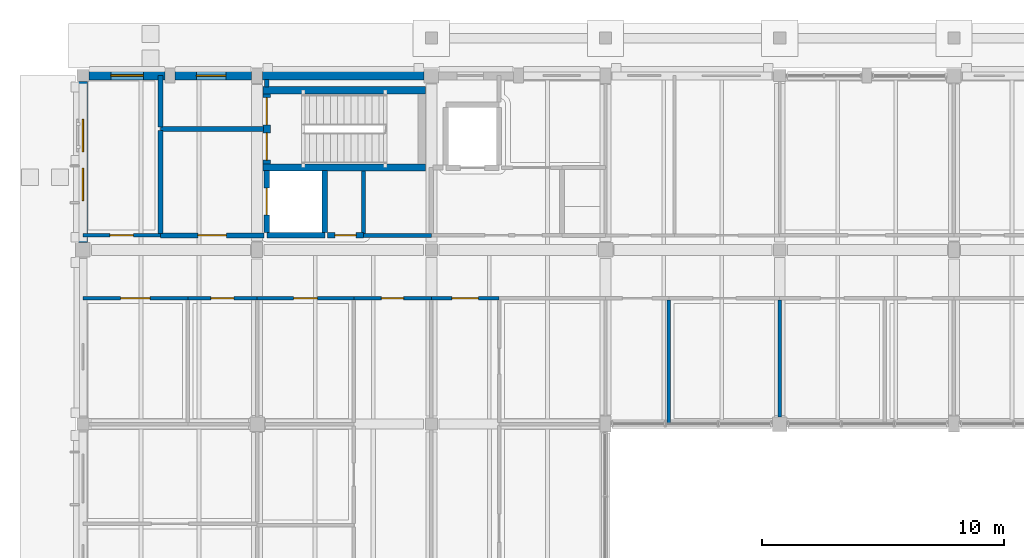
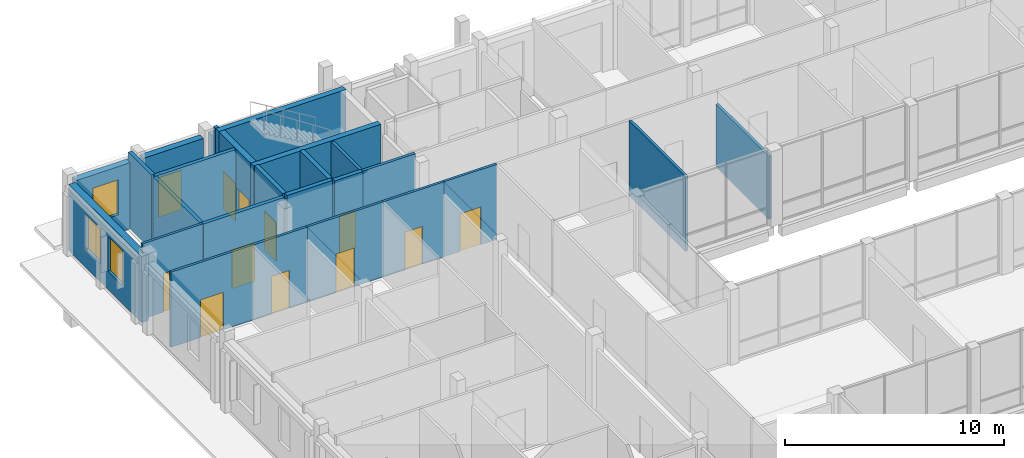
# One storey, part 74 of 104: 26 walls, 12 doors, 3 windows, 15 openings.
"""IFC4 building model written with IfcOpenShell, lengths in metres."""

from ifc_helpers import new_model, si_unit, direction, frame, frame_2d, origin, place, context, subcontext, project, spatial, rectangle, extrude, material, layer, layer_set, type_object, element, fill, save


model = new_model("IFC4")

# Units and contexts
model_context = context("Model", 3, precision=1e-05, world=origin(), true_north=direction((0.0, 1.0)))
body_context = subcontext(model_context, "Body", "Model", "MODEL_VIEW")
ifc_project = project(units=[si_unit("LENGTHUNIT", "METRE"), si_unit("AREAUNIT", "SQUARE_METRE"), si_unit("VOLUMEUNIT", "CUBIC_METRE"), si_unit("PLANEANGLEUNIT", "RADIAN"), si_unit("MASSUNIT", "GRAM", prefix="KILO")], contexts=[model_context])

# Site, building, storey
site_placement = place(None, origin())
site = spatial("IfcSite", under=ifc_project, at=site_placement, CompositionType="ELEMENT")
building_placement = place(site_placement, origin())
building = spatial("IfcBuilding", under=site, at=building_placement, Name="Hawrajan Terrace Health Centre", CompositionType="ELEMENT")
storey_placement = place(building_placement, origin())
storey = spatial("IfcBuildingStorey", under=building, at=storey_placement, Name="L00", CompositionType="ELEMENT", Elevation=0.0)

# Wall, opening, door
ifc_material_1 = material(Name="Gypsum board on acoustic stud framing")
ifc_layer_1 = layer(ifc_material_1, 0.139892578125)
ifc_layer_set_1 = layer_set([ifc_layer_1], Name="Gypsum board on acoustic stud framing")
wall_type_1 = type_object("IfcWallType", Name="ClinicalAcousticWall_140", PredefinedType="PARTITIONING", material=ifc_layer_set_1)
wall_1_placement = place(storey_placement, frame((4.60009765625, 50.60009765625, 0.0), z_axis=(0.0, 0.0, 1.0), x_axis=(1.0, 0.0, 0.0)))
wall_1 = element("IfcWall", 1, at=wall_1_placement, inside=storey, type_object=wall_type_1, Name="Interior wall IW-L00-0204", PredefinedType="PARTITIONING", context=body_context, shape_type="SweptSolid", body=[
    extrude(rectangle(XDim=4.333984375, YDim=0.139892578125, at=frame_2d((2.1669921875, 0.0))), origin(), (0.0, 0.0, 1.0), 4.179931640625),
])
opening_1_placement = place(wall_1_placement, frame((1.556884765625, 0.0, 0.0)))
opening_1 = element("IfcOpeningElement", 2, at=opening_1_placement, cuts=wall_1, Name="Opening D-L00-157", PredefinedType="OPENING", context=body_context, shape_type="SweptSolid", body=[
    extrude(rectangle(XDim=1.219970703125, YDim=2.10009765625, at=frame_2d((0.60986328125, 1.050048828125))), frame((0.0, 0.079833984375, 0.0), z_axis=(0.0, -1.0, 0.0), x_axis=(1.0, 0.0, 0.0)), (0.0, 0.0, 1.0), 0.159912109375),
])
ifc_material_2 = material(Name="Hardwood acoustic clinical door leaf and frame", Category="wood")
door_type_1 = type_object("IfcDoorType", Name="ConsultDoor_1220x2100", OperationType="NOTDEFINED", PredefinedType="DOOR", material=ifc_material_2)
door_1_placement = place(opening_1_placement, origin())
door_1 = element("IfcDoor", 3, at=door_1_placement, inside=storey, type_object=door_type_1, Name="Interior door D-L00-157", OperationType="SINGLE_SWING_LEFT", OverallHeight=2.10009765625, OverallWidth=1.219970703125, PredefinedType="DOOR", context=body_context, shape_type="SweptSolid", body=[
    extrude(rectangle(XDim=1.219970703125, YDim=2.10009765625, at=frame_2d((0.60986328125, 1.050048828125))), frame((0.0, 0.02490234375, 0.0), z_axis=(0.0, -1.0, 0.0), x_axis=(1.0, 0.0, 0.0)), (0.0, 0.0, 1.0), 0.050048828125),
])
fill(opening_1, door_1)

wall_2_placement = place(storey_placement, frame((4.60009765625, 53.199951171875, 0.0), z_axis=(0.0, 0.0, 1.0), x_axis=(1.0, 0.0, 0.0)))
wall_2 = element("IfcWall", 4, at=wall_2_placement, inside=storey, type_object=wall_type_1, Name="Interior wall IW-L00-0205", PredefinedType="PARTITIONING", context=body_context, shape_type="SweptSolid", body=[
    extrude(rectangle(XDim=3.199951171875, YDim=0.139892578125, at=frame_2d((1.60009765625, 0.0))), origin(), (0.0, 0.0, 1.0), 4.179931640625),
])
opening_2_placement = place(wall_2_placement, frame((1.110107421875, 0.0, 0.0)))
opening_2 = element("IfcOpeningElement", 5, at=opening_2_placement, cuts=wall_2, Name="Opening D-L00-159", PredefinedType="OPENING", context=body_context, shape_type="SweptSolid", body=[
    extrude(rectangle(XDim=0.97998046875, YDim=2.14990234375, at=frame_2d((0.489990234375, 1.074951171875))), frame((0.0, 0.079833984375, 0.0), z_axis=(0.0, -1.0, 0.0), x_axis=(1.0, 0.0, 0.0)), (0.0, 0.0, 1.0), 0.159912109375),
])
door_type_2 = type_object("IfcDoorType", Name="ConsultDoor_980x2150", OperationType="NOTDEFINED", PredefinedType="DOOR", material=ifc_material_2)
door_2_placement = place(opening_2_placement, origin())
door_2 = element("IfcDoor", 6, at=door_2_placement, inside=storey, type_object=door_type_2, Name="Interior door D-L00-159", OperationType="SINGLE_SWING_LEFT", OverallHeight=2.14990234375, OverallWidth=0.97998046875, PredefinedType="DOOR", context=body_context, shape_type="SweptSolid", body=[
    extrude(rectangle(XDim=0.97998046875, YDim=2.14990234375, at=frame_2d((0.489990234375, 1.074951171875))), frame((0.0, 0.02490234375, 0.0), z_axis=(0.0, -1.0, 0.0), x_axis=(1.0, 0.0, 0.0)), (0.0, 0.0, 1.0), 0.050048828125),
])
fill(opening_2, door_2)

wall_3_placement = place(storey_placement, frame((8.93408203125, 50.60009765625, 0.0), z_axis=(0.0, 0.0, 1.0), x_axis=(1.0, 0.0, 0.0)))
wall_3 = element("IfcWall", 7, at=wall_3_placement, inside=storey, type_object=wall_type_1, Name="Interior wall IW-L00-0218", PredefinedType="PARTITIONING", context=body_context, shape_type="SweptSolid", body=[
    extrude(rectangle(XDim=2.865966796875, YDim=0.139892578125, at=frame_2d((1.43310546875, 0.0))), origin(), (0.0, 0.0, 1.0), 4.179931640625),
])
opening_3_placement = place(wall_3_placement, frame((0.9580078125, 0.0, 0.0)))
opening_3 = element("IfcOpeningElement", 8, at=opening_3_placement, cuts=wall_3, Name="Opening D-L00-158", PredefinedType="OPENING", context=body_context, shape_type="SweptSolid", body=[
    extrude(rectangle(XDim=0.949951171875, YDim=2.10009765625, at=frame_2d((0.47509765625, 1.050048828125))), frame((0.0, 0.079833984375, 0.0), z_axis=(0.0, -1.0, 0.0), x_axis=(1.0, 0.0, 0.0)), (0.0, 0.0, 1.0), 0.159912109375),
])
door_type_3 = type_object("IfcDoorType", Name="AccessibleWCDoor_950x2100", OperationType="NOTDEFINED", PredefinedType="DOOR", material=ifc_material_2)
door_3_placement = place(opening_3_placement, origin())
door_3 = element("IfcDoor", 9, at=door_3_placement, inside=storey, type_object=door_type_3, Name="Interior door D-L00-158", OperationType="SINGLE_SWING_RIGHT", OverallHeight=2.10009765625, OverallWidth=0.949951171875, PredefinedType="DOOR", context=body_context, shape_type="SweptSolid", body=[
    extrude(rectangle(XDim=0.949951171875, YDim=2.10009765625, at=frame_2d((0.47509765625, 1.050048828125))), frame((0.0, 0.02490234375, 0.0), z_axis=(0.0, -1.0, 0.0), x_axis=(1.0, 0.0, 0.0)), (0.0, 0.0, 1.0), 0.050048828125),
])
fill(opening_3, door_3)

wall_4_placement = place(storey_placement, frame((11.800048828125, 50.60009765625, 0.0), z_axis=(0.0, 0.0, 1.0), x_axis=(1.0, 0.0, 0.0)))
wall_4 = element("IfcWall", 10, at=wall_4_placement, inside=storey, type_object=wall_type_1, Name="Interior wall IW-L00-0235", PredefinedType="PARTITIONING", context=body_context, shape_type="SweptSolid", body=[
    extrude(rectangle(XDim=4.0, YDim=0.139892578125, at=frame_2d((2.0, 0.0))), origin(), (0.0, 0.0, 1.0), 4.179931640625),
])
opening_4_placement = place(wall_4_placement, frame((1.510009765625, 0.0, 0.0)))
opening_4 = element("IfcOpeningElement", 11, at=opening_4_placement, cuts=wall_4, Name="Opening D-L00-164", PredefinedType="OPENING", context=body_context, shape_type="SweptSolid", body=[
    extrude(rectangle(XDim=0.97998046875, YDim=2.14990234375, at=frame_2d((0.489990234375, 1.074951171875))), frame((0.0, 0.079833984375, 0.0), z_axis=(0.0, -1.0, 0.0), x_axis=(1.0, 0.0, 0.0)), (0.0, 0.0, 1.0), 0.159912109375),
])
door_4_placement = place(opening_4_placement, origin())
door_4 = element("IfcDoor", 12, at=door_4_placement, inside=storey, type_object=door_type_2, Name="Interior door D-L00-164", OperationType="SINGLE_SWING_RIGHT", OverallHeight=2.14990234375, OverallWidth=0.97998046875, PredefinedType="DOOR", context=body_context, shape_type="SweptSolid", body=[
    extrude(rectangle(XDim=0.97998046875, YDim=2.14990234375, at=frame_2d((0.489990234375, 1.074951171875))), frame((0.0, 0.02490234375, 0.0), z_axis=(0.0, -1.0, 0.0), x_axis=(1.0, 0.0, 0.0)), (0.0, 0.0, 1.0), 0.050048828125),
])
fill(opening_4, door_4)

wall_5_placement = place(storey_placement, frame((15.800048828125, 50.60009765625, 0.0), z_axis=(0.0, 0.0, 1.0), x_axis=(1.0, 0.0, 0.0)))
wall_5 = element("IfcWall", 13, at=wall_5_placement, inside=storey, type_object=wall_type_1, Name="Interior wall IW-L00-0248", PredefinedType="PARTITIONING", context=body_context, shape_type="SweptSolid", body=[
    extrude(rectangle(XDim=3.199951171875, YDim=0.139892578125, at=frame_2d((1.60009765625, 0.0))), origin(), (0.0, 0.0, 1.0), 4.179931640625),
])
opening_5_placement = place(wall_5_placement, frame((1.139892578125, 0.0, 0.0)))
opening_5 = element("IfcOpeningElement", 14, at=opening_5_placement, cuts=wall_5, Name="Opening D-L00-109", PredefinedType="OPENING", context=body_context, shape_type="SweptSolid", body=[
    extrude(rectangle(XDim=0.919921875, YDim=2.10009765625, at=frame_2d((0.4599609375, 1.050048828125))), frame((0.0, 0.079833984375, 0.0), z_axis=(0.0, -1.0, 0.0), x_axis=(1.0, 0.0, 0.0)), (0.0, 0.0, 1.0), 0.159912109375),
])
door_type_4 = type_object("IfcDoorType", Name="StaffOfficeDoor_920x2100", OperationType="NOTDEFINED", PredefinedType="DOOR", material=ifc_material_2)
door_5_placement = place(opening_5_placement, origin())
door_5 = element("IfcDoor", 15, at=door_5_placement, inside=storey, type_object=door_type_4, Name="Interior door D-L00-109", OperationType="SINGLE_SWING_LEFT", OverallHeight=2.10009765625, OverallWidth=0.919921875, PredefinedType="DOOR", context=body_context, shape_type="SweptSolid", body=[
    extrude(rectangle(XDim=0.919921875, YDim=2.10009765625, at=frame_2d((0.4599609375, 1.050048828125))), frame((0.0, 0.02490234375, 0.0), z_axis=(0.0, -1.0, 0.0), x_axis=(1.0, 0.0, 0.0)), (0.0, 0.0, 1.0), 0.050048828125),
])
fill(opening_5, door_5)

wall_6_placement = place(storey_placement, frame((19.0, 50.60009765625, 0.0), z_axis=(0.0, 0.0, 1.0), x_axis=(1.0, 0.0, 0.0)))
wall_6 = element("IfcWall", 16, at=wall_6_placement, inside=storey, type_object=wall_type_1, Name="Interior wall IW-L00-0256", PredefinedType="PARTITIONING", context=body_context, shape_type="SweptSolid", body=[
    extrude(rectangle(XDim=2.800048828125, YDim=0.139892578125, at=frame_2d((1.39990234375, 0.0))), origin(), (0.0, 0.0, 1.0), 4.179931640625),
])
opening_6_placement = place(wall_6_placement, frame((0.85009765625, 0.0, 0.0)))
opening_6 = element("IfcOpeningElement", 17, at=opening_6_placement, cuts=wall_6, Name="Opening D-L00-110", PredefinedType="OPENING", context=body_context, shape_type="SweptSolid", body=[
    extrude(rectangle(XDim=1.10009765625, YDim=2.10009765625, at=frame_2d((0.550048828125, 1.050048828125))), frame((0.0, 0.079833984375, 0.0), z_axis=(0.0, -1.0, 0.0), x_axis=(1.0, 0.0, 0.0)), (0.0, 0.0, 1.0), 0.159912109375),
])
door_type_5 = type_object("IfcDoorType", Name="ConsultDoor_1100x2100", OperationType="NOTDEFINED", PredefinedType="DOOR", material=ifc_material_2)
door_6_placement = place(opening_6_placement, origin())
door_6 = element("IfcDoor", 18, at=door_6_placement, inside=storey, type_object=door_type_5, Name="Interior door D-L00-110", OperationType="SINGLE_SWING_RIGHT", OverallHeight=2.10009765625, OverallWidth=1.10009765625, PredefinedType="DOOR", context=body_context, shape_type="SweptSolid", body=[
    extrude(rectangle(XDim=1.10009765625, YDim=2.10009765625, at=frame_2d((0.550048828125, 1.050048828125))), frame((0.0, 0.02490234375, 0.0), z_axis=(0.0, -1.0, 0.0), x_axis=(1.0, 0.0, 0.0)), (0.0, 0.0, 1.0), 0.050048828125),
])
fill(opening_6, door_6)

# Walls
wall_7_placement = place(storey_placement, frame((28.821044921875, 45.39990234375, 0.0), z_axis=(0.0, 0.0, 1.0), x_axis=(0.0, 1.0, 0.0)))
element("IfcWall", 19, at=wall_7_placement, inside=storey, type_object=wall_type_1, Name="Interior wall IW-L00-0278", PredefinedType="PARTITIONING", context=body_context, shape_type="SweptSolid", body=[
    extrude(rectangle(XDim=5.130126953125, YDim=0.139892578125, at=frame_2d((2.56494140625, 0.0))), origin(), (0.0, 0.0, 1.0), 4.179931640625),
])
wall_8_placement = place(storey_placement, frame((33.39990234375, 45.699951171875, 0.0), z_axis=(0.0, 0.0, 1.0), x_axis=(0.0, 1.0, 0.0)))
element("IfcWall", 20, at=wall_8_placement, inside=storey, type_object=wall_type_1, Name="Interior wall IW-L00-0289", PredefinedType="PARTITIONING", context=body_context, shape_type="SweptSolid", body=[
    extrude(rectangle(XDim=4.830078125, YDim=0.139892578125, at=frame_2d((2.4150390625, 0.0))), origin(), (0.0, 0.0, 1.0), 3.5),
])

# Wall, opening, window
ifc_material_3 = material(Name="Precast concrete C40/50", Category="concrete")
ifc_layer_2 = layer(ifc_material_3, 0.340087890625)
ifc_layer_set_2 = layer_set([ifc_layer_2], Name="Precast concrete C40/50")
wall_type_2 = type_object("IfcWallType", Name="CoralAshlarWall_340", PredefinedType="SOLIDWALL", material=ifc_layer_set_2)
wall_9_placement = place(storey_placement, frame((4.85009765625, 59.800048828125, 0.0), z_axis=(0.0, 0.0, 1.0), x_axis=(1.0, 0.0, 0.0)))
wall_9 = element("IfcWall", 21, at=wall_9_placement, inside=storey, type_object=wall_type_2, Name="Exterior wall EW-L00-H00-07-1", PredefinedType="SOLIDWALL", context=body_context, shape_type="SweptSolid", body=[
    extrude(rectangle(XDim=3.14990234375, YDim=0.340087890625, at=frame_2d((1.574951171875, 0.0))), origin(), (0.0, 0.0, 1.0), 3.679931640625),
])
opening_7_placement = place(wall_9_placement, frame((0.905029296875, 0.0, 1.0)))
opening_7 = element("IfcOpeningElement", 22, at=opening_7_placement, cuts=wall_9, Name="Opening W-L00-010", PredefinedType="OPENING", context=body_context, shape_type="SweptSolid", body=[
    extrude(rectangle(XDim=1.340087890625, YDim=1.949951171875, at=frame_2d((0.669921875, 0.97509765625))), frame((0.0, 0.179931640625, 0.0), z_axis=(0.0, -1.0, 0.0), x_axis=(1.0, 0.0, 0.0)), (0.0, 0.0, 1.0), 0.360107421875),
])
ifc_material_4 = material(Name="Anodized bronze frame with double low-E glazing", Category="glass")
window_type = type_object("IfcWindowType", Name="FacadeWindow_1340x1950", PartitioningType="SINGLE_PANEL", PredefinedType="WINDOW", material=ifc_material_4)
window_1_placement = place(opening_7_placement, origin())
window_1 = element("IfcWindow", 23, at=window_1_placement, inside=storey, type_object=window_type, Name="Window W-L00-010", OverallHeight=1.949951171875, OverallWidth=1.340087890625, PartitioningType="SINGLE_PANEL", PredefinedType="WINDOW", context=body_context, shape_type="SweptSolid", body=[
    extrude(rectangle(XDim=1.340087890625, YDim=1.949951171875, at=frame_2d((0.669921875, 0.97509765625))), frame((0.0, 0.030029296875, 0.0), z_axis=(0.0, -1.0, 0.0), x_axis=(1.0, 0.0, 0.0)), (0.0, 0.0, 1.0), 0.06005859375),
])
fill(opening_7, window_1)

# Wall, opening, door
wall_10_placement = place(storey_placement, frame((8.39990234375, 59.800048828125, 0.0), z_axis=(0.0, 0.0, 1.0), x_axis=(1.0, 0.0, 0.0)))
wall_10 = element("IfcWall", 24, at=wall_10_placement, inside=storey, type_object=wall_type_2, Name="Exterior wall EW-L00-H00-07-2", PredefinedType="SOLIDWALL", context=body_context, shape_type="SweptSolid", body=[
    extrude(rectangle(XDim=3.175048828125, YDim=0.340087890625, at=frame_2d((1.58740234375, 0.0))), origin(), (0.0, 0.0, 1.0), 3.679931640625),
])
opening_8_placement = place(wall_10_placement, frame((0.889892578125, 0.0, 0.0)))
opening_8 = element("IfcOpeningElement", 25, at=opening_8_placement, cuts=wall_10, Name="Opening D-L00-E002", PredefinedType="OPENING", context=body_context, shape_type="SweptSolid", body=[
    extrude(rectangle(XDim=1.219970703125, YDim=2.199951171875, at=frame_2d((0.60986328125, 1.10009765625))), frame((0.0, 0.179931640625, 0.0), z_axis=(0.0, -1.0, 0.0), x_axis=(1.0, 0.0, 0.0)), (0.0, 0.0, 1.0), 0.360107421875),
])
ifc_material_5 = material(Name="Anodized bronze thermally broken fire-rated glazed door")
door_type_6 = type_object("IfcDoorType", Name="StairDischargeDoor_1220x2200", OperationType="NOTDEFINED", PredefinedType="DOOR", material=ifc_material_5)
door_7_placement = place(opening_8_placement, origin())
door_7 = element("IfcDoor", 26, at=door_7_placement, inside=storey, type_object=door_type_6, Name="Exit Passage C1 Final Exit Door D-L00-E002", OperationType="SINGLE_SWING_RIGHT", OverallHeight=2.199951171875, OverallWidth=1.219970703125, PredefinedType="DOOR", context=body_context, shape_type="SweptSolid", body=[
    extrude(rectangle(XDim=1.219970703125, YDim=2.199951171875, at=frame_2d((0.60986328125, 1.10009765625))), frame((0.0, 0.02490234375, 0.0), z_axis=(0.0, -1.0, 0.0), x_axis=(1.0, 0.0, 0.0)), (0.0, 0.0, 1.0), 0.050048828125),
])
fill(opening_8, door_7)

# Wall, openings, windows
ifc_layer_3 = layer(ifc_material_3, 0.360107421875)
ifc_layer_set_3 = layer_set([ifc_layer_3], Name="Precast concrete C40/50")
wall_type_3 = type_object("IfcWallType", Name="CoralPodiumWall_360", PredefinedType="SOLIDWALL", material=ifc_layer_set_3)
wall_11_placement = place(storey_placement, frame((4.60009765625, 52.89990234375, 0.0), z_axis=(0.0, 0.0, 1.0), x_axis=(0.0, 1.0, 0.0)))
wall_11 = element("IfcWall", 27, at=wall_11_placement, inside=storey, type_object=wall_type_3, Name="Exterior wall EW-L00-V00-06-1", PredefinedType="SOLIDWALL", context=body_context, shape_type="SweptSolid", body=[
    extrude(rectangle(XDim=6.650146484375, YDim=0.360107421875, at=frame_2d((3.3251953125, 0.0))), origin(), (0.0, 0.0, 1.0), 3.679931640625),
])
opening_9_placement = place(wall_11_placement, frame((1.735107421875, 0.0, 1.0)))
opening_9 = element("IfcOpeningElement", 28, at=opening_9_placement, cuts=wall_11, Name="Opening W-L00-011", PredefinedType="OPENING", context=body_context, shape_type="SweptSolid", body=[
    extrude(rectangle(XDim=1.340087890625, YDim=1.949951171875, at=frame_2d((0.669921875, 0.97509765625))), frame((0.0, 0.18994140625, 0.0), z_axis=(0.0, -1.0, 0.0), x_axis=(1.0, 0.0, 0.0)), (0.0, 0.0, 1.0), 0.380126953125),
])
opening_10_placement = place(wall_11_placement, frame((3.7548828125, 0.0, 1.0)))
opening_10 = element("IfcOpeningElement", 29, at=opening_10_placement, cuts=wall_11, Name="Opening W-L00-012", PredefinedType="OPENING", context=body_context, shape_type="SweptSolid", body=[
    extrude(rectangle(XDim=1.340087890625, YDim=1.949951171875, at=frame_2d((0.669921875, 0.97509765625))), frame((0.0, 0.18994140625, 0.0), z_axis=(0.0, -1.0, 0.0), x_axis=(1.0, 0.0, 0.0)), (0.0, 0.0, 1.0), 0.380126953125),
])
window_2_placement = place(opening_9_placement, origin())
window_2 = element("IfcWindow", 30, at=window_2_placement, inside=storey, type_object=window_type, Name="Window W-L00-011", OverallHeight=1.949951171875, OverallWidth=1.340087890625, PartitioningType="SINGLE_PANEL", PredefinedType="WINDOW", context=body_context, shape_type="SweptSolid", body=[
    extrude(rectangle(XDim=1.340087890625, YDim=1.949951171875, at=frame_2d((0.669921875, 0.97509765625))), frame((0.0, 0.030029296875, 0.0), z_axis=(0.0, -1.0, 0.0), x_axis=(1.0, 0.0, 0.0)), (0.0, 0.0, 1.0), 0.06005859375),
])
fill(opening_9, window_2)
window_3_placement = place(opening_10_placement, origin())
window_3 = element("IfcWindow", 31, at=window_3_placement, inside=storey, type_object=window_type, Name="Window W-L00-012", OverallHeight=1.949951171875, OverallWidth=1.340087890625, PartitioningType="SINGLE_PANEL", PredefinedType="WINDOW", context=body_context, shape_type="SweptSolid", body=[
    extrude(rectangle(XDim=1.340087890625, YDim=1.949951171875, at=frame_2d((0.669921875, 0.97509765625))), frame((0.0, 0.030029296875, 0.0), z_axis=(0.0, -1.0, 0.0), x_axis=(1.0, 0.0, 0.0)), (0.0, 0.0, 1.0), 0.06005859375),
])
fill(opening_10, window_3)

# Walls
wall_12_placement = place(storey_placement, frame((12.02490234375, 59.800048828125, 0.0), z_axis=(0.0, 0.0, 1.0), x_axis=(1.0, 0.0, 0.0)))
element("IfcWall", 32, at=wall_12_placement, inside=storey, type_object=wall_type_3, Name="Exterior wall EW-L00-H01-07-1", PredefinedType="SOLIDWALL", context=body_context, shape_type="SweptSolid", body=[
    extrude(rectangle(XDim=6.675048828125, YDim=0.360107421875, at=frame_2d((3.33740234375, 0.0))), origin(), (0.0, 0.0, 1.0), 3.679931640625),
])
ifc_material_6 = material(Name="Concrete C40/50", Category="concrete")
ifc_layer_4 = layer(ifc_material_6, 0.300048828125)
ifc_layer_set_4 = layer_set([ifc_layer_4], Name="Concrete C40/50")
wall_type_4 = type_object("IfcWallType", Name="CoreShearWall_RC300", PredefinedType="SHEAR", material=ifc_layer_set_4)
for number, where, z_axis, x_axis, name in (
    (33, (12.050048828125, 56.0, 0.0), (0.0, 0.0, 1.0), (1.0, 0.0, 0.0), "Core shear wall SW-C1-L00-S"),
    (34, (12.050048828125, 59.199951171875, 0.0), (0.0, 0.0, 1.0), (1.0, 0.0, 0.0), "Core shear wall SW-C1-L00-N"),
):
    element("IfcWall", number, at=place(storey_placement, frame(where, z_axis=z_axis, x_axis=x_axis)), inside=storey, type_object=wall_type_4, Name=name, PredefinedType="SHEAR", context=body_context, shape_type="SweptSolid", body=[
        extrude(rectangle(XDim=6.699951171875, YDim=0.300048828125, at=frame_2d((3.35009765625, 0.0))), origin(), (0.0, 0.0, 1.0), 4.25),
    ])

# Wall, openings, doors
wall_13_placement = place(storey_placement, frame((12.199951171875, 56.14990234375, 0.0), z_axis=(0.0, 0.0, 1.0), x_axis=(0.0, 1.0, 0.0)))
wall_13 = element("IfcWall", 35, at=wall_13_placement, inside=storey, type_object=wall_type_4, Name="Core shear wall SW-C1-L00-W", PredefinedType="SHEAR", context=body_context, shape_type="SweptSolid", body=[
    extrude(rectangle(XDim=2.900146484375, YDim=0.300048828125, at=frame_2d((1.4501953125, 0.0))), origin(), (0.0, 0.0, 1.0), 4.25),
])
opening_11_placement = place(wall_13_placement, frame((1.6201171875, 0.0, 0.0)))
opening_11 = element("IfcOpeningElement", 36, at=opening_11_placement, cuts=wall_13, Name="Opening D-L00-091", PredefinedType="OPENING", context=body_context, shape_type="SweptSolid", body=[
    extrude(rectangle(XDim=1.1201171875, YDim=2.10009765625, at=frame_2d((0.56005859375, 1.050048828125))), frame((0.0, 0.159912109375, 0.0), z_axis=(0.0, -1.0, 0.0), x_axis=(1.0, 0.0, 0.0)), (0.0, 0.0, 1.0), 0.320068359375),
])
opening_12_placement = place(wall_13_placement, frame((0.159912109375, 0.0, 0.0)))
opening_12 = element("IfcOpeningElement", 37, at=opening_12_placement, cuts=wall_13, Name="Opening D-L00-092", PredefinedType="OPENING", context=body_context, shape_type="SweptSolid", body=[
    extrude(rectangle(XDim=1.1201171875, YDim=2.10009765625, at=frame_2d((0.56005859375, 1.050048828125))), frame((0.0, 0.159912109375, 0.0), z_axis=(0.0, -1.0, 0.0), x_axis=(1.0, 0.0, 0.0)), (0.0, 0.0, 1.0), 0.320068359375),
])
ifc_material_7 = material(Name="Timber-veneered acoustic fire-resisting door assembly", Category="wood")
door_type_7 = type_object("IfcDoorType", Name="CoreStairDoor_1120x2100", OperationType="NOTDEFINED", PredefinedType="DOOR", material=ifc_material_7)
door_8_placement = place(opening_11_placement, origin())
door_8 = element("IfcDoor", 38, at=door_8_placement, inside=storey, type_object=door_type_7, Name="Interior door D-L00-091", OperationType="SINGLE_SWING_LEFT", OverallHeight=2.10009765625, OverallWidth=1.1201171875, PredefinedType="DOOR", context=body_context, shape_type="SweptSolid", body=[
    extrude(rectangle(XDim=1.1201171875, YDim=2.10009765625, at=frame_2d((0.56005859375, 1.050048828125))), frame((0.0, 0.02490234375, 0.0), z_axis=(0.0, -1.0, 0.0), x_axis=(1.0, 0.0, 0.0)), (0.0, 0.0, 1.0), 0.050048828125),
])
fill(opening_11, door_8)
door_9_placement = place(opening_12_placement, origin())
door_9 = element("IfcDoor", 39, at=door_9_placement, inside=storey, type_object=door_type_7, Name="Interior door D-L00-092", OperationType="SINGLE_SWING_RIGHT", OverallHeight=2.10009765625, OverallWidth=1.1201171875, PredefinedType="DOOR", context=body_context, shape_type="SweptSolid", body=[
    extrude(rectangle(XDim=1.1201171875, YDim=2.10009765625, at=frame_2d((0.56005859375, 1.050048828125))), frame((0.0, 0.02490234375, 0.0), z_axis=(0.0, -1.0, 0.0), x_axis=(1.0, 0.0, 0.0)), (0.0, 0.0, 1.0), 0.050048828125),
])
fill(opening_12, door_9)

# Walls
ifc_layer_5 = layer(ifc_material_1, 0.159912109375)
ifc_layer_set_5 = layer_set([ifc_layer_5], Name="Gypsum board on acoustic stud framing")
wall_type_5 = type_object("IfcWallType", Name="CorridorFireWall_160", PredefinedType="PARTITIONING", material=ifc_layer_set_5)
wall_14_placement = place(storey_placement, frame((16.199951171875, 53.27001953125, 0.0), z_axis=(0.0, 0.0, 1.0), x_axis=(0.0, 1.0, 0.0)))
element("IfcWall", 40, at=wall_14_placement, inside=storey, type_object=wall_type_5, Name="Interior wall IW-L00-0466", PredefinedType="PARTITIONING", context=body_context, shape_type="SweptSolid", body=[
    extrude(rectangle(XDim=2.590087890625, YDim=0.159912109375, at=frame_2d((1.294921875, 0.0))), origin(), (0.0, 0.0, 1.0), 4.179931640625),
])
wall_15_placement = place(storey_placement, frame((19.0, 53.199951171875, 0.0), z_axis=(0.0, 0.0, 1.0), x_axis=(-1.0, 0.0, 0.0)))
element("IfcWall", 41, at=wall_15_placement, inside=storey, type_object=wall_type_5, Name="Interior wall IW-L00-0481", PredefinedType="PARTITIONING", context=body_context, shape_type="SweptSolid", body=[
    extrude(rectangle(XDim=2.800048828125, YDim=0.159912109375, at=frame_2d((1.39990234375, 0.0))), origin(), (0.0, 0.0, 1.0), 4.179931640625),
])
ifc_material_8 = material(Name="Cross-laminated timber CLT C24", Category="wood")
ifc_layer_6 = layer(ifc_material_8, 0.199951171875)
ifc_layer_set_6 = layer_set([ifc_layer_6], Name="Cross-laminated timber CLT C24")
wall_type_6 = type_object("IfcWallType", Name="FireCompartmentWall_200", PredefinedType="PARTITIONING", material=ifc_layer_set_6)
wall_16_placement = place(storey_placement, frame((7.800048828125, 53.27001953125, 0.0), z_axis=(0.0, 0.0, 1.0), x_axis=(0.0, 1.0, 0.0)))
element("IfcWall", 42, at=wall_16_placement, inside=storey, type_object=wall_type_6, Name="Interior wall IW-L00-0210", PredefinedType="PARTITIONING", context=body_context, shape_type="SweptSolid", body=[
    extrude(rectangle(XDim=4.260009765625, YDim=0.199951171875, at=frame_2d((2.1298828125, 0.0))), origin(), (0.0, 0.0, 1.0), 4.179931640625),
])

# Wall, opening, door
wall_17_placement = place(storey_placement, frame((7.800048828125, 53.199951171875, 0.0), z_axis=(0.0, 0.0, 1.0), x_axis=(1.0, 0.0, 0.0)))
wall_17 = element("IfcWall", 43, at=wall_17_placement, inside=storey, type_object=wall_type_6, Name="Interior wall IW-L00-0211", PredefinedType="PARTITIONING", context=body_context, shape_type="SweptSolid", body=[
    extrude(rectangle(XDim=4.2900390625, YDim=0.199951171875, at=frame_2d((2.14501953125, 0.0))), origin(), (0.0, 0.0, 1.0), 4.179931640625),
])
opening_13_placement = place(wall_17_placement, frame((1.554931640625, 0.0, 0.0)))
opening_13 = element("IfcOpeningElement", 44, at=opening_13_placement, cuts=wall_17, Name="Opening D-L00-103", PredefinedType="OPENING", context=body_context, shape_type="SweptSolid", body=[
    extrude(rectangle(XDim=1.179931640625, YDim=2.14990234375, at=frame_2d((0.58984375, 1.074951171875))), frame((0.0, 0.10986328125, 0.0), z_axis=(0.0, -1.0, 0.0), x_axis=(1.0, 0.0, 0.0)), (0.0, 0.0, 1.0), 0.219970703125),
])
door_type_8 = type_object("IfcDoorType", Name="CoreStairDoor_1180x2150", OperationType="NOTDEFINED", PredefinedType="DOOR", material=ifc_material_7)
door_10_placement = place(opening_13_placement, origin())
door_10 = element("IfcDoor", 45, at=door_10_placement, inside=storey, type_object=door_type_8, Name="Interior door D-L00-103", OperationType="SINGLE_SWING_LEFT", OverallHeight=2.14990234375, OverallWidth=1.179931640625, PredefinedType="DOOR", context=body_context, shape_type="SweptSolid", body=[
    extrude(rectangle(XDim=1.179931640625, YDim=2.14990234375, at=frame_2d((0.58984375, 1.074951171875))), frame((0.0, 0.02490234375, 0.0), z_axis=(0.0, -1.0, 0.0), x_axis=(1.0, 0.0, 0.0)), (0.0, 0.0, 1.0), 0.050048828125),
])
fill(opening_13, door_10)

# Walls
wall_18_placement = place(storey_placement, frame((7.800048828125, 57.669921875, 0.0), z_axis=(0.0, 0.0, 1.0), x_axis=(0.0, 1.0, 0.0)))
element("IfcWall", 46, at=wall_18_placement, inside=storey, type_object=wall_type_6, Name="Interior wall IW-L00-0212", PredefinedType="PARTITIONING", context=body_context, shape_type="SweptSolid", body=[
    extrude(rectangle(XDim=2.130126953125, YDim=0.199951171875, at=frame_2d((1.06494140625, 0.0))), origin(), (0.0, 0.0, 1.0), 4.179931640625),
])
wall_19_placement = place(storey_placement, frame((7.800048828125, 57.60009765625, 0.0), z_axis=(0.0, 0.0, 1.0), x_axis=(1.0, 0.0, 0.0)))
element("IfcWall", 47, at=wall_19_placement, inside=storey, type_object=wall_type_6, Name="Interior wall IW-L00-0213", PredefinedType="PARTITIONING", context=body_context, shape_type="SweptSolid", body=[
    extrude(rectangle(XDim=4.260009765625, YDim=0.199951171875, at=frame_2d((2.1298828125, 0.0))), origin(), (0.0, 0.0, 1.0), 4.179931640625),
])
wall_20_placement = place(storey_placement, frame((12.199951171875, 59.340087890625, 0.0), z_axis=(0.0, 0.0, 1.0), x_axis=(0.0, 1.0, 0.0)))
element("IfcWall", 48, at=wall_20_placement, inside=storey, type_object=wall_type_6, Name="Interior wall IW-L00-0470", PredefinedType="PARTITIONING", context=body_context, shape_type="SweptSolid", body=[
    extrude(rectangle(XDim=0.2998046875, YDim=0.199951171875, at=frame_2d((0.14990234375, 0.0))), origin(), (0.0, 0.0, 1.0), 4.179931640625),
])
ifc_layer_7 = layer(ifc_material_6, 0.219970703125)
ifc_layer_set_7 = layer_set([ifc_layer_7], Name="Concrete C40/50")
wall_type_7 = type_object("IfcWallType", Name="ShaftWall_RC220", PredefinedType="SOLIDWALL", material=ifc_layer_set_7)
wall_21_placement = place(storey_placement, frame((12.199951171875, 53.199951171875, 0.0), z_axis=(0.0, 0.0, 1.0), x_axis=(1.0, 0.0, 0.0)))
element("IfcWall", 49, at=wall_21_placement, inside=storey, type_object=wall_type_7, Name="Lift shaft wall LW-LC-01-L00-S", PredefinedType="SOLIDWALL", context=body_context, shape_type="SweptSolid", body=[
    extrude(rectangle(XDim=2.400146484375, YDim=0.219970703125, at=frame_2d((1.2001953125, 0.0))), origin(), (0.0, 0.0, 1.0), 4.25),
])

# Wall, opening, door
wall_22_placement = place(storey_placement, frame((12.199951171875, 53.31005859375, 0.0), z_axis=(0.0, 0.0, 1.0), x_axis=(0.0, 1.0, 0.0)))
wall_22 = element("IfcWall", 50, at=wall_22_placement, inside=storey, type_object=wall_type_7, Name="Lift shaft wall LW-LC-01-L00-W", PredefinedType="SOLIDWALL", context=body_context, shape_type="SweptSolid", body=[
    extrude(rectangle(XDim=2.579833984375, YDim=0.219970703125, at=frame_2d((1.2900390625, 0.0))), origin(), (0.0, 0.0, 1.0), 4.25),
])
opening_14_placement = place(wall_22_placement, frame((0.739990234375, 0.0, 0.0)))
opening_14 = element("IfcOpeningElement", 51, at=opening_14_placement, cuts=wall_22, Name="Opening LD-L00-LC-01", PredefinedType="OPENING", context=body_context, shape_type="SweptSolid", body=[
    extrude(rectangle(XDim=1.10009765625, YDim=2.14990234375, at=frame_2d((0.550048828125, 1.074951171875))), frame((0.0, 0.119873046875, 0.0), z_axis=(0.0, -1.0, 0.0), x_axis=(1.0, 0.0, 0.0)), (0.0, 0.0, 1.0), 0.239990234375),
])
ifc_material_9 = material(Name="Brushed bronze stainless-steel sliding lift landing door", Category="steel")
door_type_9 = type_object("IfcDoorType", Name="LiftLandingDoor_1100x2150", OperationType="SLIDING_TO_LEFT", PredefinedType="DOOR", material=ifc_material_9)
door_11_placement = place(opening_14_placement, origin())
door_11 = element("IfcDoor", 52, at=door_11_placement, inside=storey, type_object=door_type_9, Name="Lift landing door LD-L00-LC-01", OperationType="SLIDING_TO_LEFT", OverallHeight=2.14990234375, OverallWidth=1.10009765625, PredefinedType="DOOR", context=body_context, shape_type="SweptSolid", body=[
    extrude(rectangle(XDim=1.10009765625, YDim=2.14990234375, at=frame_2d((0.550048828125, 1.074951171875))), frame((0.0, 0.02490234375, 0.0), z_axis=(0.0, -1.0, 0.0), x_axis=(1.0, 0.0, 0.0)), (0.0, 0.0, 1.0), 0.050048828125),
])
fill(opening_14, door_11)

# Wall
wall_23_placement = place(storey_placement, frame((14.60009765625, 53.31005859375, 0.0), z_axis=(0.0, 0.0, 1.0), x_axis=(0.0, 1.0, 0.0)))
element("IfcWall", 53, at=wall_23_placement, inside=storey, type_object=wall_type_7, Name="Lift shaft wall LW-LC-01-L00-E", PredefinedType="SOLIDWALL", context=body_context, shape_type="SweptSolid", body=[
    extrude(rectangle(XDim=2.579833984375, YDim=0.219970703125, at=frame_2d((1.2900390625, 0.0))), origin(), (0.0, 0.0, 1.0), 4.25),
])

# Wall, opening, door
wall_24_placement = place(storey_placement, frame((14.7099609375, 53.199951171875, 0.0), z_axis=(0.0, 0.0, 1.0), x_axis=(1.0, 0.0, 0.0)))
wall_24 = element("IfcWall", 54, at=wall_24_placement, inside=storey, type_object=wall_type_7, Name="Interior wall IW-L00-0236", PredefinedType="SOLIDWALL", context=body_context, shape_type="SweptSolid", body=[
    extrude(rectangle(XDim=1.489990234375, YDim=0.219970703125, at=frame_2d((0.7451171875, 0.0))), origin(), (0.0, 0.0, 1.0), 4.179931640625),
])
opening_15_placement = place(wall_24_placement, frame((0.304931640625, 0.0, 0.0)))
opening_15 = element("IfcOpeningElement", 55, at=opening_15_placement, cuts=wall_24, Name="Opening D-L00-139", PredefinedType="OPENING", context=body_context, shape_type="SweptSolid", body=[
    extrude(rectangle(XDim=0.8798828125, YDim=2.050048828125, at=frame_2d((0.43994140625, 1.02490234375))), frame((0.0, 0.119873046875, 0.0), z_axis=(0.0, -1.0, 0.0), x_axis=(1.0, 0.0, 0.0)), (0.0, 0.0, 1.0), 0.239990234375),
])
door_type_10 = type_object("IfcDoorType", Name="RiserAccessDoor_880x2050", OperationType="NOTDEFINED", PredefinedType="DOOR", material=ifc_material_7)
door_12_placement = place(opening_15_placement, origin())
door_12 = element("IfcDoor", 56, at=door_12_placement, inside=storey, type_object=door_type_10, Name="Service riser access door D-L00-139", OperationType="SINGLE_SWING_LEFT", OverallHeight=2.050048828125, OverallWidth=0.8798828125, PredefinedType="DOOR", context=body_context, shape_type="SweptSolid", body=[
    extrude(rectangle(XDim=0.8798828125, YDim=2.050048828125, at=frame_2d((0.43994140625, 1.02490234375))), frame((0.0, 0.02490234375, 0.0), z_axis=(0.0, -1.0, 0.0), x_axis=(1.0, 0.0, 0.0)), (0.0, 0.0, 1.0), 0.050048828125),
])
fill(opening_15, door_12)

save(model, "model.ifc")
